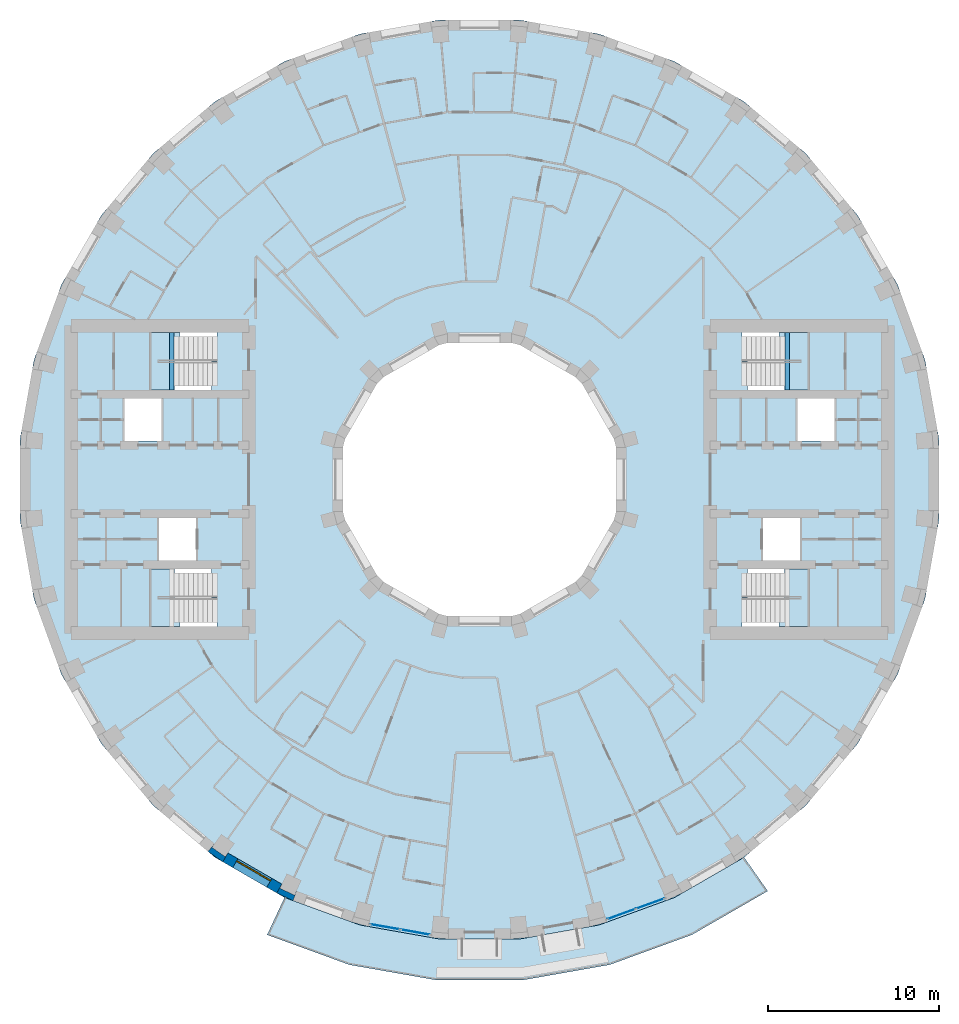
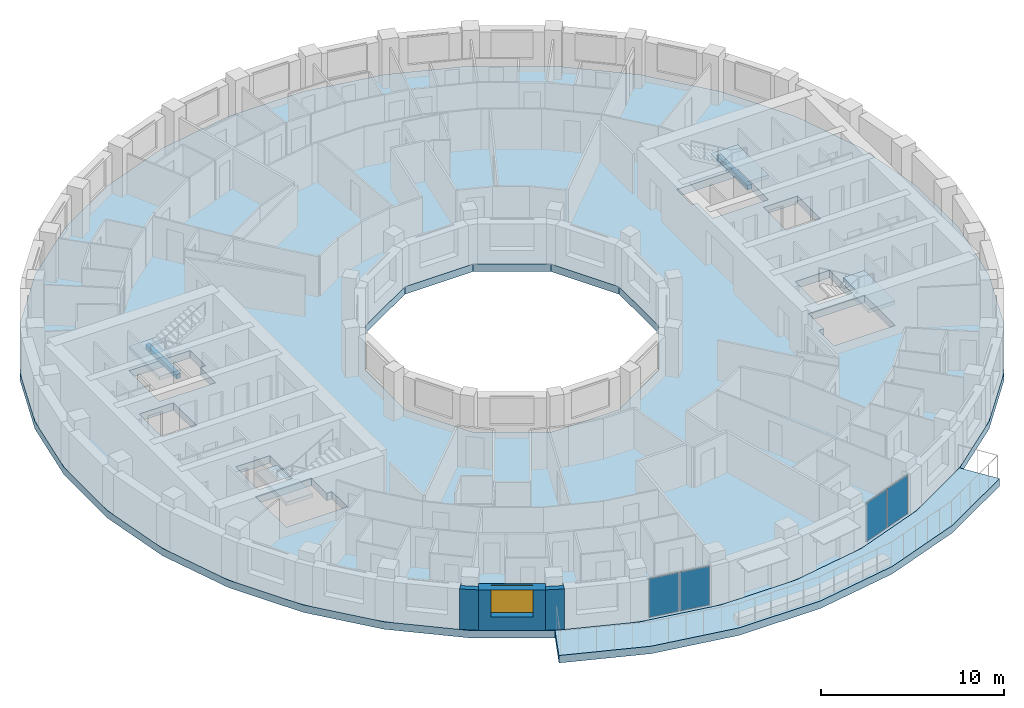
# One storey, part 4 of 16: 6 slabs, 4 plates, 3 walls, 2 beams, 1 window, 1 opening, 6 elements without a shape of their own.
"""IFC4 building model written with IfcOpenShell, lengths in metres."""

from ifc_helpers import new_model, si_unit, direction, frame, frame_2d, origin, origin_2d, place, context, subcontext, project, spatial, polyline, rectangle, outline, extrude, material, layer, layer_set, material_profile, profile_set, type_object, element, fill, aggregate, save


model = new_model("IFC4")

# Units and contexts
model_context = context("Model", 3, precision=1e-05, world=origin(), true_north=direction((0.0, 1.0)))
body_context = subcontext(model_context, "Body", "Model", "MODEL_VIEW")
ifc_project = project(units=[si_unit("LENGTHUNIT", "METRE"), si_unit("AREAUNIT", "SQUARE_METRE"), si_unit("VOLUMEUNIT", "CUBIC_METRE"), si_unit("PLANEANGLEUNIT", "RADIAN"), si_unit("MASSUNIT", "GRAM", prefix="KILO")], contexts=[model_context])

# Site, building, storey
site_placement = place(None, origin())
site = spatial("IfcSite", under=ifc_project, at=site_placement, CompositionType="ELEMENT")
building_placement = place(site_placement, origin())
building = spatial("IfcBuilding", under=site, at=building_placement, Name="Saqina Gate Tower", CompositionType="ELEMENT")
storey_placement = place(building_placement, frame((0.0, 0.0, 148.0)))
storey = spatial("IfcBuildingStorey", under=building, at=storey_placement, Name="L42", CompositionType="ELEMENT", Elevation=148.0)

# Beams
ifc_material_1 = material(Name="Concrete C40/50", Category="concrete")
ifc_material_profile = material_profile(ifc_material_1, rectangle(XDim=0.25, YDim=0.300048828125, at=origin_2d()), Name="STAIR LANDING BEAM")
ifc_profile_set = profile_set([ifc_material_profile], Name="Concrete C40/50")
beam_type = type_object("IfcBeamType", Name="STAIR LANDING BEAM", PredefinedType="BEAM", material=ifc_profile_set)
for number, where, z_axis, x_axis, name in (
    (1, (18.02001953125, 5.25, 1.25), (0.0, 1.0, 0.0), (-1.0, 0.0, 0.0), "EXIT STAIR 1 LANDING BEAM"),
    (2, (-18.02001953125, 5.25, 1.25), (0.0, 1.0, 0.0), (-1.0, 0.0, 0.0), "EXIT STAIR 3 LANDING BEAM"),
):
    element("IfcBeam", number, at=place(storey_placement, frame(where, z_axis=z_axis, x_axis=x_axis)), inside=storey, type_object=beam_type, Name=name, PredefinedType="BEAM", context=body_context, shape_type="SweptSolid", body=[
        extrude(rectangle(XDim=0.25, YDim=0.300048828125, at=origin_2d()), origin(), (0.0, 0.0, 1.0), 3.35009765625),
    ])

# Curtain wall, plates
ifc_material_2 = material(Name="Aluminium glazing", Category="aluminium")
ifc_layer_1 = layer(ifc_material_2, 0.159912109375)
ifc_layer_set_1 = layer_set([ifc_layer_1], Name="CWT-4")
curtain_wall_type = type_object("IfcCurtainWallType", Name="CWT-4", PredefinedType="NOTDEFINED", material=ifc_layer_set_1)
curtain_wall_1_placement = place(storey_placement, origin())
curtain_wall_1 = element("IfcCurtainWall", 3, at=curtain_wall_1_placement, inside=storey, type_object=curtain_wall_type, Name="Terrace lounge glazing facet 26", PredefinedType="NOTDEFINED")
ifc_material_3 = material(Name="Glass", Category="glass")
ifc_layer_2 = layer(ifc_material_3, 0.028076171875)
ifc_layer_set_2 = layer_set([ifc_layer_2], Name="CWT-4P")
plate_type = type_object("IfcPlateType", Name="CWT-4P", PredefinedType="CURTAIN_PANEL", material=ifc_layer_set_2)
plate_1_placement = place(storey_placement, frame((-5.52783203125, -26.18505859375, 0.06005859375), z_axis=(0.0, 0.0, 1.0), x_axis=(0.984809489664, -0.17363832834, 0.0)))
plate_1 = element("IfcPlate", 4, at=plate_1_placement, type_object=plate_type, Name="CW4-26 panel 1.1", PredefinedType="CURTAIN_PANEL", context=body_context, shape_type="SweptSolid", body=[
    extrude(rectangle(XDim=1.73388671875, YDim=0.028076171875, at=origin_2d()), origin(), (0.0, 0.0, 1.0), 2.580078125),
])
plate_2_placement = place(storey_placement, frame((-3.76123046875, -26.49658203125, 0.06005859375), z_axis=(0.0, 0.0, 1.0), x_axis=(0.984809489664, -0.17363832834, 0.0)))
plate_2 = element("IfcPlate", 5, at=plate_2_placement, type_object=plate_type, Name="CW4-26 panel 2.1", PredefinedType="CURTAIN_PANEL", context=body_context, shape_type="SweptSolid", body=[
    extrude(rectangle(XDim=1.73388671875, YDim=0.028076171875, at=origin_2d()), origin(), (0.0, 0.0, 1.0), 2.580078125),
])
aggregate(curtain_wall_1, [plate_1, plate_2])

curtain_wall_2_placement = place(storey_placement, origin())
curtain_wall_2 = element("IfcCurtainWall", 6, at=curtain_wall_2_placement, inside=storey, type_object=curtain_wall_type, Name="Terrace lounge glazing facet 29", PredefinedType="NOTDEFINED")
plate_3_placement = place(storey_placement, frame((8.30517578125, -25.44091796875, 0.06005859375), z_axis=(0.0, 0.0, 1.0), x_axis=(0.939694133483, 0.342015987197, 0.0)))
plate_3 = element("IfcPlate", 7, at=plate_3_placement, type_object=plate_type, Name="CW4-29 panel 1.1", PredefinedType="CURTAIN_PANEL", context=body_context, shape_type="SweptSolid", body=[
    extrude(rectangle(XDim=1.73388671875, YDim=0.028076171875, at=origin_2d()), origin(), (0.0, 0.0, 1.0), 2.580078125),
])
plate_4_placement = place(storey_placement, frame((9.990966796875, -24.827392578125, 0.06005859375), z_axis=(0.0, 0.0, 1.0), x_axis=(0.939694133483, 0.342015987197, 0.0)))
plate_4 = element("IfcPlate", 8, at=plate_4_placement, type_object=plate_type, Name="CW4-29 panel 2.1", PredefinedType="CURTAIN_PANEL", context=body_context, shape_type="SweptSolid", body=[
    extrude(rectangle(XDim=1.73388671875, YDim=0.028076171875, at=origin_2d()), origin(), (0.0, 0.0, 1.0), 2.580078125),
])
aggregate(curtain_wall_2, [plate_3, plate_4])

# Stair, slab
ifc_material_4 = material(Name="Concrete C40/50", Category="concrete")
stair_type = type_object("IfcStairType", Name="EXIT STAIR", PredefinedType="HALF_TURN_STAIR", material=ifc_material_4)
stair_1_placement = place(storey_placement, origin())
stair_1 = element("IfcStair", 9, at=stair_1_placement, inside=storey, type_object=stair_type, Name="EXIT STAIR 1", PredefinedType="HALF_TURN_STAIR")
ifc_material_5 = material(Name="Concrete C40/50", Category="concrete")
ifc_layer_3 = layer(ifc_material_5, 0.25)
ifc_layer_set_3 = layer_set([ifc_layer_3], Name="Concrete C40/50")
slab_type_1 = type_object("IfcSlabType", Name="EXIT STAIR LANDING", PredefinedType="LANDING", material=ifc_layer_set_3)
slab_1_placement = place(storey_placement, frame((0.0, 0.0, 1.39990234375)))
slab_1 = element("IfcSlab", 10, at=slab_1_placement, type_object=slab_type_1, Name="EXIT STAIR 1 LANDING 1", PredefinedType="LANDING", context=body_context, shape_type="SweptSolid", body=[
    extrude(outline(polyline([(19.219970703125, 8.60009765625), (19.219970703125, 5.25), (17.864990234375, 5.25), (17.864990234375, 6.925048828125), (17.534423828125, 6.925048828125), (17.534423828125, 8.60009765625), (17.864990234375, 8.60009765625), (17.8701171875, 8.60009765625), (19.219970703125, 8.60009765625)])), origin(), (0.0, 0.0, 1.0), 0.25),
])
aggregate(stair_1, [slab_1])

stair_2_placement = place(storey_placement, origin())
stair_2 = element("IfcStair", 11, at=stair_2_placement, inside=storey, type_object=stair_type, Name="EXIT STAIR 2", PredefinedType="HALF_TURN_STAIR")
slab_2_placement = place(storey_placement, frame((0.0, 0.0, 1.39990234375)))
slab_2 = element("IfcSlab", 12, at=slab_2_placement, type_object=slab_type_1, Name="EXIT STAIR 2 LANDING 1", PredefinedType="LANDING", context=body_context, shape_type="SweptSolid", body=[
    extrude(outline(polyline([(17.534423828125, -8.60009765625), (17.534423828125, -6.925048828125), (17.864990234375, -6.925048828125), (17.864990234375, -5.25), (19.219970703125, -5.25), (19.219970703125, -8.60009765625), (17.8701171875, -8.60009765625), (17.864990234375, -8.60009765625), (17.534423828125, -8.60009765625)])), origin(), (0.0, 0.0, 1.0), 0.25),
])
aggregate(stair_2, [slab_2])

stair_3_placement = place(storey_placement, origin())
stair_3 = element("IfcStair", 13, at=stair_3_placement, inside=storey, type_object=stair_type, Name="EXIT STAIR 3", PredefinedType="HALF_TURN_STAIR")
slab_3_placement = place(storey_placement, frame((0.0, 0.0, 1.39990234375)))
slab_3 = element("IfcSlab", 14, at=slab_3_placement, type_object=slab_type_1, Name="EXIT STAIR 3 LANDING 1", PredefinedType="LANDING", context=body_context, shape_type="SweptSolid", body=[
    extrude(outline(polyline([(-17.864990234375, 5.25), (-19.219970703125, 5.25), (-19.219970703125, 8.60009765625), (-17.8701171875, 8.60009765625), (-17.864990234375, 8.60009765625), (-17.534423828125, 8.60009765625), (-17.534423828125, 6.925048828125), (-17.864990234375, 6.925048828125), (-17.864990234375, 5.25)])), origin(), (0.0, 0.0, 1.0), 0.25),
])
aggregate(stair_3, [slab_3])

stair_4_placement = place(storey_placement, origin())
stair_4 = element("IfcStair", 15, at=stair_4_placement, inside=storey, type_object=stair_type, Name="EXIT STAIR 4", PredefinedType="HALF_TURN_STAIR")
slab_4_placement = place(storey_placement, frame((0.0, 0.0, 1.39990234375)))
slab_4 = element("IfcSlab", 16, at=slab_4_placement, type_object=slab_type_1, Name="EXIT STAIR 4 LANDING 1", PredefinedType="LANDING", context=body_context, shape_type="SweptSolid", body=[
    extrude(outline(polyline([(-17.534423828125, -6.925048828125), (-17.534423828125, -8.60009765625), (-17.864990234375, -8.60009765625), (-17.8701171875, -8.60009765625), (-19.219970703125, -8.60009765625), (-19.219970703125, -5.25), (-17.864990234375, -5.25), (-17.864990234375, -6.925048828125), (-17.534423828125, -6.925048828125)])), origin(), (0.0, 0.0, 1.0), 0.25),
])
aggregate(stair_4, [slab_4])

# Slabs
ifc_material_6 = material(Name="Concrete C40/50", Category="concrete")
ifc_layer_4 = layer(ifc_material_6, 0.5)
ifc_layer_set_4 = layer_set([ifc_layer_4], Name="Concrete C40/50")
slab_type_2 = type_object("IfcSlabType", Name="STR-POST-TENSIONED FLAT PLATE FLOOR-500", PredefinedType="FLOOR", material=ifc_layer_set_4)
slab_5_placement = place(storey_placement, frame((0.0, 0.0, -0.5)))
element("IfcSlab", 17, at=slab_5_placement, inside=storey, type_object=slab_type_2, Name="L42-SLB01", PredefinedType="FLOOR", context=body_context, shape_type="SweptSolid", body=[
    extrude(outline(polyline([(26.080078125, -6.988037109375), (26.897216796875, -2.353271484375), (26.897216796875, 2.353271484375), (26.080078125, 6.988037109375), (24.47021484375, 11.41064453125), (22.1171875, 15.486572265625), (19.091796875, 19.091796875), (15.486572265625, 22.1171875), (11.41064453125, 24.47021484375), (6.988037109375, 26.080078125), (2.353271484375, 26.897216796875), (-2.353271484375, 26.897216796875), (-6.988037109375, 26.080078125), (-11.41064453125, 24.47021484375), (-15.486572265625, 22.1171875), (-19.091796875, 19.091796875), (-22.1171875, 15.486572265625), (-24.47021484375, 11.41064453125), (-26.080078125, 6.988037109375), (-26.897216796875, 2.353271484375), (-26.897216796875, -2.353271484375), (-26.080078125, -6.988037109375), (-24.47021484375, -11.41064453125), (-22.1171875, -15.486572265625), (-19.091796875, -19.091796875), (-15.486572265625, -22.1171875), (-11.41064453125, -24.47021484375), (-6.988037109375, -26.080078125), (-2.353271484375, -26.897216796875), (2.353271484375, -26.897216796875), (6.988037109375, -26.080078125), (11.41064453125, -24.47021484375), (15.486572265625, -22.1171875), (19.091796875, -19.091796875), (22.1171875, -15.486572265625), (24.47021484375, -11.41064453125), (26.080078125, -6.988037109375)]), holes=[polyline([(2.1435546875, 8.0), (5.8564453125, 5.8564453125), (8.0, 2.1435546875), (8.0, -2.1435546875), (5.8564453125, -5.8564453125), (2.1435546875, -8.0), (-2.1435546875, -8.0), (-5.8564453125, -5.8564453125), (-8.0, -2.1435546875), (-8.0, 2.1435546875), (-5.8564453125, 5.8564453125), (-2.1435546875, 8.0), (2.1435546875, 8.0)]), polyline([(-15.35498046875, -8.60009765625), (-19.219970703125, -8.60009765625), (-19.219970703125, -6.925048828125), (-19.219970703125, -5.25), (-15.685546875, -5.25), (-15.685546875, -6.925048828125), (-15.35498046875, -6.925048828125), (-15.35498046875, -8.60009765625)]), polyline([(-16.590087890625, -2.25), (-16.590087890625, -4.75), (-18.75, -4.75), (-18.75, -2.25), (-16.590087890625, -2.25)]), polyline([(-20.780029296875, 4.75), (-18.6201171875, 4.75), (-18.6201171875, 2.25), (-20.780029296875, 2.25), (-20.780029296875, 4.75)]), polyline([(-19.219970703125, 6.925048828125), (-19.219970703125, 8.60009765625), (-15.35498046875, 8.60009765625), (-15.35498046875, 6.925048828125), (-15.685546875, 6.925048828125), (-15.685546875, 5.25), (-19.219970703125, 5.25), (-19.219970703125, 6.925048828125)]), polyline([(15.35498046875, -8.60009765625), (15.35498046875, -6.925048828125), (15.685546875, -6.925048828125), (15.685546875, -5.25), (19.219970703125, -5.25), (19.219970703125, -6.925048828125), (19.219970703125, -8.60009765625), (15.35498046875, -8.60009765625)]), polyline([(18.75, -2.25), (18.75, -4.75), (16.590087890625, -4.75), (16.590087890625, -2.25), (18.75, -2.25)]), polyline([(18.6201171875, 4.75), (20.780029296875, 4.75), (20.780029296875, 2.25), (18.6201171875, 2.25), (18.6201171875, 4.75)]), polyline([(15.685546875, 6.925048828125), (15.35498046875, 6.925048828125), (15.35498046875, 8.60009765625), (19.219970703125, 8.60009765625), (19.219970703125, 6.925048828125), (19.219970703125, 5.25), (15.685546875, 5.25), (15.685546875, 6.925048828125)])]), origin(), (0.0, 0.0, 1.0), 0.5),
])
ifc_material_7 = material(Name="Concrete C40/50", Category="concrete")
ifc_layer_5 = layer(ifc_material_7, 0.5)
ifc_layer_set_5 = layer_set([ifc_layer_5], Name="Concrete C40/50")
slab_type_3 = type_object("IfcSlabType", Name="STR-POST-TENSIONED FLAT PLATE TERRACE-500", PredefinedType="FLOOR", material=ifc_layer_set_5)
slab_6_placement = place(storey_placement, frame((0.0, 0.0, -0.5)))
element("IfcSlab", 18, at=slab_6_placement, inside=storey, type_object=slab_type_3, Name="L42-TRS01", PredefinedType="FLOOR", context=body_context, shape_type="SweptSolid", body=[
    extrude(outline(polyline([(-11.41064453125, -24.47021484375), (-6.988037109375, -26.080078125), (-2.353271484375, -26.897216796875), (2.353271484375, -26.897216796875), (6.988037109375, -26.080078125), (11.41064453125, -24.47021484375), (15.486572265625, -22.1171875), (16.868408203125, -24.090576171875), (12.428955078125, -26.65380859375), (7.611572265625, -28.406982421875), (2.563232421875, -29.29736328125), (-2.563232421875, -29.29736328125), (-7.611572265625, -28.406982421875), (-12.428955078125, -26.65380859375), (-11.41064453125, -24.47021484375)])), origin(), (0.0, 0.0, 1.0), 0.5),
])

# Walls
ifc_material_8 = material(Name="Brick masonry (buff)", Category="masonry")
wall_type_1 = type_object("IfcWallType", Name="BRICK PIER COPING BUFF", PredefinedType="SOLIDWALL", material=ifc_material_8)
wall_1_placement = place(storey_placement, origin())
element("IfcWall", 19, at=wall_1_placement, inside=storey, type_object=wall_type_1, Name="Pier cap L42 column 24", PredefinedType="SOLIDWALL", context=body_context, shape_type="SweptSolid", body=[
    extrude(outline(polyline([(-15.0283203125, -22.3818359375), (-14.728271484375, -21.862060546875), (-14.88232421875, -22.08251953125), (-15.66064453125, -21.53759765625), (-15.50634765625, -21.317138671875), (-15.89208984375, -21.77685546875), (-15.0283203125, -22.3818359375)])), origin(), (0.0, 0.0, 1.0), 2.699951171875),
])
wall_2_placement = place(storey_placement, origin())
element("IfcWall", 20, at=wall_2_placement, inside=storey, type_object=wall_type_1, Name="Pier cap L42 column 25", PredefinedType="SOLIDWALL", context=body_context, shape_type="SweptSolid", body=[
    extrude(outline(polyline([(-10.913330078125, -24.6513671875), (-10.7080078125, -24.08740234375), (-10.82177734375, -24.331298828125), (-11.6826171875, -23.9296875), (-11.569091796875, -23.68603515625), (-11.869140625, -24.205810546875), (-10.913330078125, -24.6513671875)])), origin(), (0.0, 0.0, 1.0), 2.699951171875),
])

# Wall, opening, window
ifc_material_9 = material(Name="Brick masonry (buff)", Category="masonry")
ifc_layer_6 = layer(ifc_material_9, 0.60009765625)
ifc_layer_set_6 = layer_set([ifc_layer_6], Name="FW-BRICK-BUFF")
wall_type_2 = type_object("IfcWallType", Name="FW-BRICK-BUFF", PredefinedType="SOLIDWALL", material=ifc_layer_set_6)
wall_3_placement = place(storey_placement, frame((-14.878173828125, -22.1220703125, 0.0), z_axis=(0.0, 0.0, 1.0), x_axis=(0.866051847062, -0.499954196102, 0.0)))
wall_3 = element("IfcWall", 21, at=wall_3_placement, inside=storey, type_object=wall_type_2, Name="Facade wall L42 facet 24", PredefinedType="SOLIDWALL", context=body_context, shape_type="SweptSolid", body=[
    extrude(rectangle(XDim=3.647705078125, YDim=0.60009765625, at=frame_2d((1.82373046875, 0.0))), origin(), (0.0, 0.0, 1.0), 2.699951171875),
])
opening_placement = place(wall_3_placement, frame((0.673828125, 0.0, 0.89990234375)))
opening = element("IfcOpeningElement", 22, at=opening_placement, cuts=wall_3, Name="Opening G12-W17", PredefinedType="OPENING", context=body_context, shape_type="SweptSolid", body=[
    extrude(rectangle(XDim=2.300048828125, YDim=1.800048828125, at=frame_2d((1.14990234375, 0.89990234375))), frame((0.0, 0.31201171875, 0.0), z_axis=(0.0, -1.0, 0.0), x_axis=(1.0, 0.0, 0.0)), (0.0, 0.0, 1.0), 0.6240234375),
])
ifc_material_10 = material(Name="Aluminium glazing", Category="aluminium")
window_type = type_object("IfcWindowType", Name="WN-B", PartitioningType="SINGLE_PANEL", PredefinedType="WINDOW", material=ifc_material_10)
window_placement = place(opening_placement, origin())
window = element("IfcWindow", 23, at=window_placement, inside=storey, type_object=window_type, Name="Window L42 facet 24", OverallHeight=1.800048828125, OverallWidth=2.300048828125, PartitioningType="SINGLE_PANEL", PredefinedType="WINDOW", context=body_context, shape_type="SweptSolid", body=[
    extrude(rectangle(XDim=2.300048828125, YDim=1.800048828125, at=frame_2d((1.14990234375, 0.89990234375))), frame((0.0, 0.179931640625, 0.0), z_axis=(0.0, -1.0, 0.0), x_axis=(1.0, 0.0, 0.0)), (0.0, 0.0, 1.0), 0.06005859375),
])
fill(opening, window)

save(model, "model.ifc")
